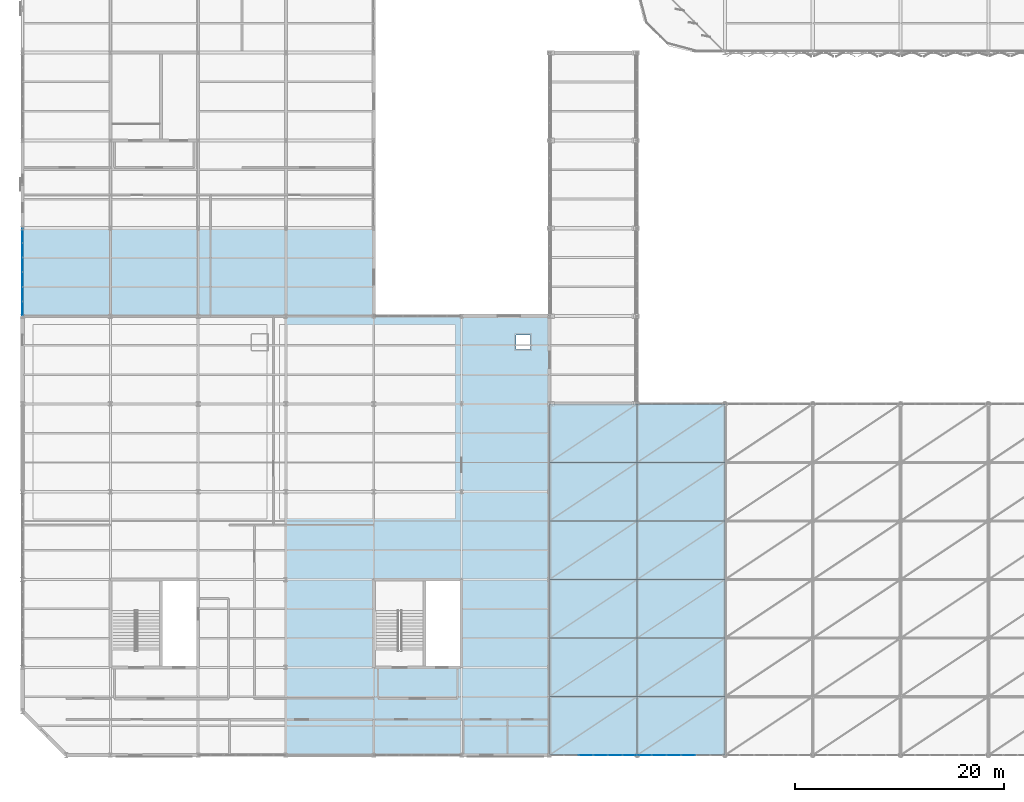
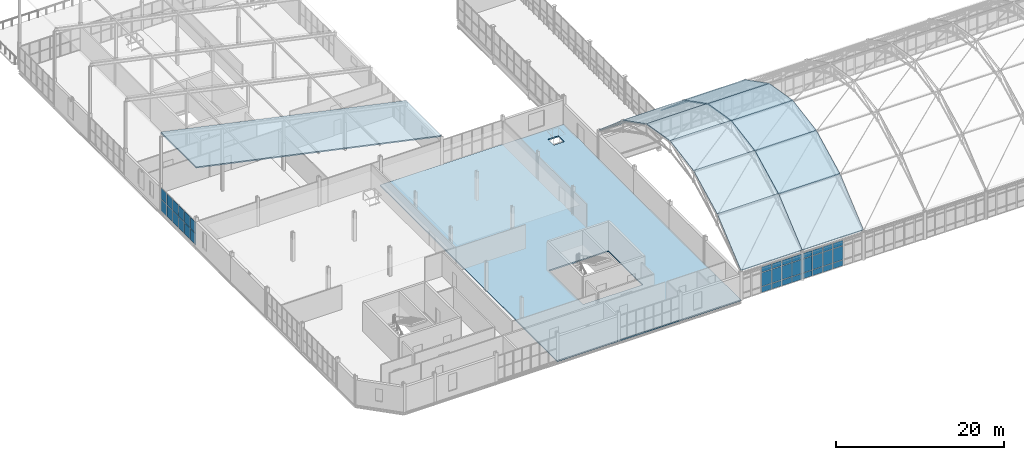
# One storey, part 135 of 184: 48 plates, 14 slabs, 4 elements without a shape of their own.
"""IFC4 building model written with IfcOpenShell, lengths in metres."""

from ifc_helpers import new_model, si_unit, direction, frame, origin, origin_2d, place, context, subcontext, project, spatial, polyline, rectangle, outline, extrude, material, layer, layer_set, type_object, element, aggregate, save


model = new_model("IFC4")

# Units and contexts
model_context = context("Model", 3, precision=1e-05, world=origin(), true_north=direction((0.0, 1.0)))
body_context = subcontext(model_context, "Body", "Model", "MODEL_VIEW")
ifc_project = project(units=[si_unit("LENGTHUNIT", "METRE"), si_unit("AREAUNIT", "SQUARE_METRE"), si_unit("VOLUMEUNIT", "CUBIC_METRE"), si_unit("PLANEANGLEUNIT", "RADIAN"), si_unit("MASSUNIT", "GRAM", prefix="KILO")], contexts=[model_context])

# Site, building, storey
site_placement = place(None, origin())
site = spatial("IfcSite", under=ifc_project, at=site_placement, CompositionType="ELEMENT")
building_placement = place(site_placement, origin())
building = spatial("IfcBuilding", under=site, at=building_placement, Name="Qalvenar Corner Mobility Hub", CompositionType="ELEMENT")
storey_placement = place(building_placement, frame((0.0, 0.0, 9.0)))
storey = spatial("IfcBuildingStorey", under=building, at=storey_placement, Name="L02", CompositionType="ELEMENT", Elevation=9.0)

# Curtain wall, plates
ifc_material_1 = material(Name="Anodised Aluminium and Low-E Glazing", Category="aluminium")
ifc_layer_1 = layer(ifc_material_1, 0.179931640625)
ifc_layer_set_1 = layer_set([ifc_layer_1], Name="Anodised Aluminium and Low-E Glazing")
curtain_wall_type_1 = type_object("IfcCurtainWallType", Name="CW-CONC-84X42", PredefinedType="NOTDEFINED", material=ifc_layer_set_1)
curtain_wall_1_placement = place(storey_placement, origin())
curtain_wall_1 = element("IfcCurtainWall", 1, at=curtain_wall_1_placement, inside=storey, type_object=curtain_wall_type_1, Name="Glazed Curtain Wall CW-V1-L02-S0", PredefinedType="NOTDEFINED")
ifc_material_2 = material(Name="Solar-Control Low-E Double Glazing", Category="glass")
ifc_layer_2 = layer(ifc_material_2, 0.028076171875)
ifc_layer_set_2 = layer_set([ifc_layer_2], Name="Solar-Control Low-E Double Glazing")
plate_type_1 = type_object("IfcPlateType", Name="PLT-CWP-GLZ1", PredefinedType="CURTAIN_PANEL", material=ifc_layer_set_2)
plate_1_placement = place(storey_placement, frame((53.89990234375, 0.0, 0.05517578125), z_axis=(0.0, 0.0, 1.0), x_axis=(1.0, 0.0, 0.0)))
plate_1 = element("IfcPlate", 2, at=plate_1_placement, type_object=plate_type_1, Name="CW-02 panel 3.1", PredefinedType="CURTAIN_PANEL", context=body_context, shape_type="SweptSolid", body=[
    extrude(rectangle(XDim=1.340087890625, YDim=0.028076171875, at=origin_2d()), origin(), (0.0, 0.0, 1.0), 0.8173828125),
])
plate_2_placement = place(storey_placement, frame((53.89990234375, 0.0, 0.927490234375), z_axis=(0.0, 0.0, 1.0), x_axis=(1.0, 0.0, 0.0)))
plate_2 = element("IfcPlate", 3, at=plate_2_placement, type_object=plate_type_1, Name="CW-02 panel 3.2", PredefinedType="CURTAIN_PANEL", context=body_context, shape_type="SweptSolid", body=[
    extrude(rectangle(XDim=1.340087890625, YDim=0.028076171875, at=origin_2d()), origin(), (0.0, 0.0, 1.0), 1.9951171875),
])
plate_3_placement = place(storey_placement, frame((53.89990234375, 0.0, 2.9775390625), z_axis=(0.0, 0.0, 1.0), x_axis=(1.0, 0.0, 0.0)))
plate_3 = element("IfcPlate", 4, at=plate_3_placement, type_object=plate_type_1, Name="CW-02 panel 3.3", PredefinedType="CURTAIN_PANEL", context=body_context, shape_type="SweptSolid", body=[
    extrude(rectangle(XDim=1.340087890625, YDim=0.028076171875, at=origin_2d()), origin(), (0.0, 0.0, 1.0), 0.767578125),
])
plate_4_placement = place(storey_placement, frame((55.300048828125, 0.0, 0.05517578125), z_axis=(0.0, 0.0, 1.0), x_axis=(1.0, 0.0, 0.0)))
plate_4 = element("IfcPlate", 5, at=plate_4_placement, type_object=plate_type_1, Name="CW-02 panel 4.1", PredefinedType="CURTAIN_PANEL", context=body_context, shape_type="SweptSolid", body=[
    extrude(rectangle(XDim=1.340087890625, YDim=0.028076171875, at=origin_2d()), origin(), (0.0, 0.0, 1.0), 0.8173828125),
])
plate_5_placement = place(storey_placement, frame((55.300048828125, 0.0, 0.927490234375), z_axis=(0.0, 0.0, 1.0), x_axis=(1.0, 0.0, 0.0)))
plate_5 = element("IfcPlate", 6, at=plate_5_placement, type_object=plate_type_1, Name="CW-02 panel 4.2", PredefinedType="CURTAIN_PANEL", context=body_context, shape_type="SweptSolid", body=[
    extrude(rectangle(XDim=1.340087890625, YDim=0.028076171875, at=origin_2d()), origin(), (0.0, 0.0, 1.0), 1.9951171875),
])
plate_6_placement = place(storey_placement, frame((55.300048828125, 0.0, 2.9775390625), z_axis=(0.0, 0.0, 1.0), x_axis=(1.0, 0.0, 0.0)))
plate_6 = element("IfcPlate", 7, at=plate_6_placement, type_object=plate_type_1, Name="CW-02 panel 4.3", PredefinedType="CURTAIN_PANEL", context=body_context, shape_type="SweptSolid", body=[
    extrude(rectangle(XDim=1.340087890625, YDim=0.028076171875, at=origin_2d()), origin(), (0.0, 0.0, 1.0), 0.767578125),
])
plate_7_placement = place(storey_placement, frame((56.699951171875, 0.0, 0.05517578125), z_axis=(0.0, 0.0, 1.0), x_axis=(1.0, 0.0, 0.0)))
plate_7 = element("IfcPlate", 8, at=plate_7_placement, type_object=plate_type_1, Name="CW-02 panel 5.1", PredefinedType="CURTAIN_PANEL", context=body_context, shape_type="SweptSolid", body=[
    extrude(rectangle(XDim=1.340087890625, YDim=0.028076171875, at=origin_2d()), origin(), (0.0, 0.0, 1.0), 0.8173828125),
])
plate_8_placement = place(storey_placement, frame((56.699951171875, 0.0, 0.927490234375), z_axis=(0.0, 0.0, 1.0), x_axis=(1.0, 0.0, 0.0)))
plate_8 = element("IfcPlate", 9, at=plate_8_placement, type_object=plate_type_1, Name="CW-02 panel 5.2", PredefinedType="CURTAIN_PANEL", context=body_context, shape_type="SweptSolid", body=[
    extrude(rectangle(XDim=1.340087890625, YDim=0.028076171875, at=origin_2d()), origin(), (0.0, 0.0, 1.0), 1.9951171875),
])
plate_9_placement = place(storey_placement, frame((56.699951171875, 0.0, 2.9775390625), z_axis=(0.0, 0.0, 1.0), x_axis=(1.0, 0.0, 0.0)))
plate_9 = element("IfcPlate", 10, at=plate_9_placement, type_object=plate_type_1, Name="CW-02 panel 5.3", PredefinedType="CURTAIN_PANEL", context=body_context, shape_type="SweptSolid", body=[
    extrude(rectangle(XDim=1.340087890625, YDim=0.028076171875, at=origin_2d()), origin(), (0.0, 0.0, 1.0), 0.767578125),
])
plate_10_placement = place(storey_placement, frame((58.0849609375, 0.0, 0.05517578125), z_axis=(0.0, 0.0, 1.0), x_axis=(1.0, 0.0, 0.0)))
plate_10 = element("IfcPlate", 11, at=plate_10_placement, type_object=plate_type_1, Name="CW-02 panel 6.1", PredefinedType="CURTAIN_PANEL", context=body_context, shape_type="SweptSolid", body=[
    extrude(rectangle(XDim=1.31005859375, YDim=0.028076171875, at=origin_2d()), origin(), (0.0, 0.0, 1.0), 0.8173828125),
])
plate_11_placement = place(storey_placement, frame((58.0849609375, 0.0, 0.927490234375), z_axis=(0.0, 0.0, 1.0), x_axis=(1.0, 0.0, 0.0)))
plate_11 = element("IfcPlate", 12, at=plate_11_placement, type_object=plate_type_1, Name="CW-02 panel 6.2", PredefinedType="CURTAIN_PANEL", context=body_context, shape_type="SweptSolid", body=[
    extrude(rectangle(XDim=1.31005859375, YDim=0.028076171875, at=origin_2d()), origin(), (0.0, 0.0, 1.0), 1.9951171875),
])
plate_12_placement = place(storey_placement, frame((58.0849609375, 0.0, 2.9775390625), z_axis=(0.0, 0.0, 1.0), x_axis=(1.0, 0.0, 0.0)))
plate_12 = element("IfcPlate", 13, at=plate_12_placement, type_object=plate_type_1, Name="CW-02 panel 6.3", PredefinedType="CURTAIN_PANEL", context=body_context, shape_type="SweptSolid", body=[
    extrude(rectangle(XDim=1.31005859375, YDim=0.028076171875, at=origin_2d()), origin(), (0.0, 0.0, 1.0), 0.767578125),
])
aggregate(curtain_wall_1, [plate_1, plate_2, plate_3, plate_4, plate_5, plate_6, plate_7, plate_8, plate_9, plate_10, plate_11, plate_12])

curtain_wall_2_placement = place(storey_placement, origin())
curtain_wall_2 = element("IfcCurtainWall", 14, at=curtain_wall_2_placement, inside=storey, type_object=curtain_wall_type_1, Name="Glazed Curtain Wall CW-V1-L02-S1", PredefinedType="NOTDEFINED")
plate_13_placement = place(storey_placement, frame((59.514892578125, 0.0, 0.05517578125), z_axis=(0.0, 0.0, 1.0), x_axis=(1.0, 0.0, 0.0)))
plate_13 = element("IfcPlate", 15, at=plate_13_placement, type_object=plate_type_1, Name="CW-02 panel 1.1", PredefinedType="CURTAIN_PANEL", context=body_context, shape_type="SweptSolid", body=[
    extrude(rectangle(XDim=1.31005859375, YDim=0.028076171875, at=origin_2d()), origin(), (0.0, 0.0, 1.0), 0.8173828125),
])
plate_14_placement = place(storey_placement, frame((59.514892578125, 0.0, 0.927490234375), z_axis=(0.0, 0.0, 1.0), x_axis=(1.0, 0.0, 0.0)))
plate_14 = element("IfcPlate", 16, at=plate_14_placement, type_object=plate_type_1, Name="CW-02 panel 1.2", PredefinedType="CURTAIN_PANEL", context=body_context, shape_type="SweptSolid", body=[
    extrude(rectangle(XDim=1.31005859375, YDim=0.028076171875, at=origin_2d()), origin(), (0.0, 0.0, 1.0), 1.9951171875),
])
plate_15_placement = place(storey_placement, frame((59.514892578125, 0.0, 2.9775390625), z_axis=(0.0, 0.0, 1.0), x_axis=(1.0, 0.0, 0.0)))
plate_15 = element("IfcPlate", 17, at=plate_15_placement, type_object=plate_type_1, Name="CW-02 panel 1.3", PredefinedType="CURTAIN_PANEL", context=body_context, shape_type="SweptSolid", body=[
    extrude(rectangle(XDim=1.31005859375, YDim=0.028076171875, at=origin_2d()), origin(), (0.0, 0.0, 1.0), 0.767578125),
])
plate_16_placement = place(storey_placement, frame((60.89990234375, 0.0, 0.05517578125), z_axis=(0.0, 0.0, 1.0), x_axis=(1.0, 0.0, 0.0)))
plate_16 = element("IfcPlate", 18, at=plate_16_placement, type_object=plate_type_1, Name="CW-02 panel 2.1", PredefinedType="CURTAIN_PANEL", context=body_context, shape_type="SweptSolid", body=[
    extrude(rectangle(XDim=1.340087890625, YDim=0.028076171875, at=origin_2d()), origin(), (0.0, 0.0, 1.0), 0.8173828125),
])
plate_17_placement = place(storey_placement, frame((60.89990234375, 0.0, 0.927490234375), z_axis=(0.0, 0.0, 1.0), x_axis=(1.0, 0.0, 0.0)))
plate_17 = element("IfcPlate", 19, at=plate_17_placement, type_object=plate_type_1, Name="CW-02 panel 2.2", PredefinedType="CURTAIN_PANEL", context=body_context, shape_type="SweptSolid", body=[
    extrude(rectangle(XDim=1.340087890625, YDim=0.028076171875, at=origin_2d()), origin(), (0.0, 0.0, 1.0), 1.9951171875),
])
plate_18_placement = place(storey_placement, frame((60.89990234375, 0.0, 2.9775390625), z_axis=(0.0, 0.0, 1.0), x_axis=(1.0, 0.0, 0.0)))
plate_18 = element("IfcPlate", 20, at=plate_18_placement, type_object=plate_type_1, Name="CW-02 panel 2.3", PredefinedType="CURTAIN_PANEL", context=body_context, shape_type="SweptSolid", body=[
    extrude(rectangle(XDim=1.340087890625, YDim=0.028076171875, at=origin_2d()), origin(), (0.0, 0.0, 1.0), 0.767578125),
])
plate_19_placement = place(storey_placement, frame((62.300048828125, 0.0, 0.05517578125), z_axis=(0.0, 0.0, 1.0), x_axis=(1.0, 0.0, 0.0)))
plate_19 = element("IfcPlate", 21, at=plate_19_placement, type_object=plate_type_1, Name="CW-02 panel 3.1", PredefinedType="CURTAIN_PANEL", context=body_context, shape_type="SweptSolid", body=[
    extrude(rectangle(XDim=1.340087890625, YDim=0.028076171875, at=origin_2d()), origin(), (0.0, 0.0, 1.0), 0.8173828125),
])
plate_20_placement = place(storey_placement, frame((62.300048828125, 0.0, 0.927490234375), z_axis=(0.0, 0.0, 1.0), x_axis=(1.0, 0.0, 0.0)))
plate_20 = element("IfcPlate", 22, at=plate_20_placement, type_object=plate_type_1, Name="CW-02 panel 3.2", PredefinedType="CURTAIN_PANEL", context=body_context, shape_type="SweptSolid", body=[
    extrude(rectangle(XDim=1.340087890625, YDim=0.028076171875, at=origin_2d()), origin(), (0.0, 0.0, 1.0), 1.9951171875),
])
plate_21_placement = place(storey_placement, frame((62.300048828125, 0.0, 2.9775390625), z_axis=(0.0, 0.0, 1.0), x_axis=(1.0, 0.0, 0.0)))
plate_21 = element("IfcPlate", 23, at=plate_21_placement, type_object=plate_type_1, Name="CW-02 panel 3.3", PredefinedType="CURTAIN_PANEL", context=body_context, shape_type="SweptSolid", body=[
    extrude(rectangle(XDim=1.340087890625, YDim=0.028076171875, at=origin_2d()), origin(), (0.0, 0.0, 1.0), 0.767578125),
])
plate_22_placement = place(storey_placement, frame((63.699951171875, 0.0, 0.05517578125), z_axis=(0.0, 0.0, 1.0), x_axis=(1.0, 0.0, 0.0)))
plate_22 = element("IfcPlate", 24, at=plate_22_placement, type_object=plate_type_1, Name="CW-02 panel 4.1", PredefinedType="CURTAIN_PANEL", context=body_context, shape_type="SweptSolid", body=[
    extrude(rectangle(XDim=1.340087890625, YDim=0.028076171875, at=origin_2d()), origin(), (0.0, 0.0, 1.0), 0.8173828125),
])
plate_23_placement = place(storey_placement, frame((63.699951171875, 0.0, 0.927490234375), z_axis=(0.0, 0.0, 1.0), x_axis=(1.0, 0.0, 0.0)))
plate_23 = element("IfcPlate", 25, at=plate_23_placement, type_object=plate_type_1, Name="CW-02 panel 4.2", PredefinedType="CURTAIN_PANEL", context=body_context, shape_type="SweptSolid", body=[
    extrude(rectangle(XDim=1.340087890625, YDim=0.028076171875, at=origin_2d()), origin(), (0.0, 0.0, 1.0), 1.9951171875),
])
plate_24_placement = place(storey_placement, frame((63.699951171875, 0.0, 2.9775390625), z_axis=(0.0, 0.0, 1.0), x_axis=(1.0, 0.0, 0.0)))
plate_24 = element("IfcPlate", 26, at=plate_24_placement, type_object=plate_type_1, Name="CW-02 panel 4.3", PredefinedType="CURTAIN_PANEL", context=body_context, shape_type="SweptSolid", body=[
    extrude(rectangle(XDim=1.340087890625, YDim=0.028076171875, at=origin_2d()), origin(), (0.0, 0.0, 1.0), 0.767578125),
])
aggregate(curtain_wall_2, [plate_13, plate_14, plate_15, plate_16, plate_17, plate_18, plate_19, plate_20, plate_21, plate_22, plate_23, plate_24])

ifc_layer_3 = layer(ifc_material_1, 0.14990234375)
ifc_layer_set_3 = layer_set([ifc_layer_3], Name="Anodised Aluminium and Low-E Glazing")
curtain_wall_type_2 = type_object("IfcCurtainWallType", Name="CW-CYC-84X39", PredefinedType="NOTDEFINED", material=ifc_layer_set_3)
curtain_wall_3_placement = place(storey_placement, origin())
curtain_wall_3 = element("IfcCurtainWall", 27, at=curtain_wall_3_placement, inside=storey, type_object=curtain_wall_type_2, Name="Glazed Curtain Wall CW-V5-L02-W0", PredefinedType="NOTDEFINED")
plate_25_placement = place(storey_placement, frame((0.0, 49.68505859375, 0.054931640625), z_axis=(0.0, 0.0, 1.0), x_axis=(0.0, -1.0, 0.0)))
plate_25 = element("IfcPlate", 28, at=plate_25_placement, type_object=plate_type_1, Name="CW-08 panel 1.1", PredefinedType="CURTAIN_PANEL", context=body_context, shape_type="SweptSolid", body=[
    extrude(rectangle(XDim=1.31005859375, YDim=0.028076171875, at=origin_2d()), origin(), (0.0, 0.0, 1.0), 1.62255859375),
])
plate_26_placement = place(storey_placement, frame((0.0, 49.68505859375, 1.732421875), z_axis=(0.0, 0.0, 1.0), x_axis=(0.0, -1.0, 0.0)))
plate_26 = element("IfcPlate", 29, at=plate_26_placement, type_object=plate_type_1, Name="CW-08 panel 1.2", PredefinedType="CURTAIN_PANEL", context=body_context, shape_type="SweptSolid", body=[
    extrude(rectangle(XDim=1.31005859375, YDim=0.028076171875, at=origin_2d()), origin(), (0.0, 0.0, 1.0), 1.62255859375),
])
plate_27_placement = place(storey_placement, frame((0.0, 48.300048828125, 0.054931640625), z_axis=(0.0, 0.0, 1.0), x_axis=(0.0, -1.0, 0.0)))
plate_27 = element("IfcPlate", 30, at=plate_27_placement, type_object=plate_type_1, Name="CW-08 panel 2.1", PredefinedType="CURTAIN_PANEL", context=body_context, shape_type="SweptSolid", body=[
    extrude(rectangle(XDim=1.340087890625, YDim=0.028076171875, at=origin_2d()), origin(), (0.0, 0.0, 1.0), 1.62255859375),
])
plate_28_placement = place(storey_placement, frame((0.0, 48.300048828125, 1.732421875), z_axis=(0.0, 0.0, 1.0), x_axis=(0.0, -1.0, 0.0)))
plate_28 = element("IfcPlate", 31, at=plate_28_placement, type_object=plate_type_1, Name="CW-08 panel 2.2", PredefinedType="CURTAIN_PANEL", context=body_context, shape_type="SweptSolid", body=[
    extrude(rectangle(XDim=1.340087890625, YDim=0.028076171875, at=origin_2d()), origin(), (0.0, 0.0, 1.0), 1.62255859375),
])
plate_29_placement = place(storey_placement, frame((0.0, 46.89990234375, 0.054931640625), z_axis=(0.0, 0.0, 1.0), x_axis=(0.0, -1.0, 0.0)))
plate_29 = element("IfcPlate", 32, at=plate_29_placement, type_object=plate_type_1, Name="CW-08 panel 3.1", PredefinedType="CURTAIN_PANEL", context=body_context, shape_type="SweptSolid", body=[
    extrude(rectangle(XDim=1.340087890625, YDim=0.028076171875, at=origin_2d()), origin(), (0.0, 0.0, 1.0), 1.62255859375),
])
plate_30_placement = place(storey_placement, frame((0.0, 46.89990234375, 1.732421875), z_axis=(0.0, 0.0, 1.0), x_axis=(0.0, -1.0, 0.0)))
plate_30 = element("IfcPlate", 33, at=plate_30_placement, type_object=plate_type_1, Name="CW-08 panel 3.2", PredefinedType="CURTAIN_PANEL", context=body_context, shape_type="SweptSolid", body=[
    extrude(rectangle(XDim=1.340087890625, YDim=0.028076171875, at=origin_2d()), origin(), (0.0, 0.0, 1.0), 1.62255859375),
])
plate_31_placement = place(storey_placement, frame((0.0, 45.5, 0.054931640625), z_axis=(0.0, 0.0, 1.0), x_axis=(0.0, -1.0, 0.0)))
plate_31 = element("IfcPlate", 34, at=plate_31_placement, type_object=plate_type_1, Name="CW-08 panel 4.1", PredefinedType="CURTAIN_PANEL", context=body_context, shape_type="SweptSolid", body=[
    extrude(rectangle(XDim=1.340087890625, YDim=0.028076171875, at=origin_2d()), origin(), (0.0, 0.0, 1.0), 1.62255859375),
])
plate_32_placement = place(storey_placement, frame((0.0, 45.5, 1.732421875), z_axis=(0.0, 0.0, 1.0), x_axis=(0.0, -1.0, 0.0)))
plate_32 = element("IfcPlate", 35, at=plate_32_placement, type_object=plate_type_1, Name="CW-08 panel 4.2", PredefinedType="CURTAIN_PANEL", context=body_context, shape_type="SweptSolid", body=[
    extrude(rectangle(XDim=1.340087890625, YDim=0.028076171875, at=origin_2d()), origin(), (0.0, 0.0, 1.0), 1.62255859375),
])
plate_33_placement = place(storey_placement, frame((0.0, 44.10009765625, 0.054931640625), z_axis=(0.0, 0.0, 1.0), x_axis=(0.0, -1.0, 0.0)))
plate_33 = element("IfcPlate", 36, at=plate_33_placement, type_object=plate_type_1, Name="CW-08 panel 5.1", PredefinedType="CURTAIN_PANEL", context=body_context, shape_type="SweptSolid", body=[
    extrude(rectangle(XDim=1.340087890625, YDim=0.028076171875, at=origin_2d()), origin(), (0.0, 0.0, 1.0), 1.62255859375),
])
plate_34_placement = place(storey_placement, frame((0.0, 44.10009765625, 1.732421875), z_axis=(0.0, 0.0, 1.0), x_axis=(0.0, -1.0, 0.0)))
plate_34 = element("IfcPlate", 37, at=plate_34_placement, type_object=plate_type_1, Name="CW-08 panel 5.2", PredefinedType="CURTAIN_PANEL", context=body_context, shape_type="SweptSolid", body=[
    extrude(rectangle(XDim=1.340087890625, YDim=0.028076171875, at=origin_2d()), origin(), (0.0, 0.0, 1.0), 1.62255859375),
])
plate_35_placement = place(storey_placement, frame((0.0, 42.715087890625, 0.054931640625), z_axis=(0.0, 0.0, 1.0), x_axis=(0.0, -1.0, 0.0)))
plate_35 = element("IfcPlate", 38, at=plate_35_placement, type_object=plate_type_1, Name="CW-08 panel 6.1", PredefinedType="CURTAIN_PANEL", context=body_context, shape_type="SweptSolid", body=[
    extrude(rectangle(XDim=1.31005859375, YDim=0.028076171875, at=origin_2d()), origin(), (0.0, 0.0, 1.0), 1.62255859375),
])
plate_36_placement = place(storey_placement, frame((0.0, 42.715087890625, 1.732421875), z_axis=(0.0, 0.0, 1.0), x_axis=(0.0, -1.0, 0.0)))
plate_36 = element("IfcPlate", 39, at=plate_36_placement, type_object=plate_type_1, Name="CW-08 panel 6.2", PredefinedType="CURTAIN_PANEL", context=body_context, shape_type="SweptSolid", body=[
    extrude(rectangle(XDim=1.31005859375, YDim=0.028076171875, at=origin_2d()), origin(), (0.0, 0.0, 1.0), 1.62255859375),
])
aggregate(curtain_wall_3, [plate_25, plate_26, plate_27, plate_28, plate_29, plate_30, plate_31, plate_32, plate_33, plate_34, plate_35, plate_36])

# Plates
ifc_material_3 = material(Name="Insulated Standing-Seam Aluminium Roof Cassette", Category="aluminium")
ifc_layer_4 = layer(ifc_material_3, 0.0849609375)
ifc_layer_set_4 = layer_set([ifc_layer_4], Name="Insulated Standing-Seam Aluminium Roof Cassette")
plate_type_2 = type_object("IfcPlateType", Name="PLT-SFR-CAS1", PredefinedType="SHEET", material=ifc_layer_set_4)
for number, where, z_axis, x_axis, name in (
    (40, (50.39990234375, 0.0, 4.2900390625), (0.0, -0.64904710972, 0.760748216799), (1.0, 0.0, 0.0), "Space Frame Roof Cassette RPC-1-1"),
    (41, (50.39990234375, 28.0, 9.06787109375), (0.0, 0.64904710972, 0.760748216799), (1.0, 0.0, 0.0), "Space Frame Roof Cassette RPC-1-6"),
):
    element("IfcPlate", number, at=place(storey_placement, frame(where, z_axis=z_axis, x_axis=x_axis)), inside=storey, type_object=plate_type_2, Name=name, PredefinedType="SHEET", context=body_context, shape_type="SweptSolid", body=[
        extrude(outline(polyline([(0.0, 0.0), (8.400146484375, 0.0), (8.400146484375, 7.361302376507519), (0.0, 7.361302376507519), (0.0, 0.0)])), origin(), (0.0, 0.0, -1.0), 0.0849609375),
    ])
for number, where, z_axis, x_axis, name in (
    (42, (58.800048828125, 0.0, 4.2900390625), (0.0, -0.64904710972, 0.760748216799), (1.0, 0.0, 0.0), "Space Frame Roof Cassette RPC-2-1"),
    (43, (58.800048828125, 28.0, 9.06787109375), (0.0, 0.64904710972, 0.760748216799), (1.0, 0.0, 0.0), "Space Frame Roof Cassette RPC-2-6"),
):
    element("IfcPlate", number, at=place(storey_placement, frame(where, z_axis=z_axis, x_axis=x_axis)), inside=storey, type_object=plate_type_2, Name=name, PredefinedType="SHEET", context=body_context, shape_type="SweptSolid", body=[
        extrude(outline(polyline([(0.0, 0.0), (8.39990234375, 0.0), (8.39990234375, 7.361302376507519), (0.0, 7.361302376507519), (0.0, 0.0)])), origin(), (0.0, 0.0, -1.0), 0.0849609375),
    ])
ifc_material_4 = material(Name="Insulated Standing-Seam Aluminium Roof Cassette", Category="aluminium")
ifc_layer_5 = layer(ifc_material_4, 0.080078125)
ifc_layer_set_5 = layer_set([ifc_layer_5], Name="Insulated Standing-Seam Aluminium Roof Cassette")
plate_type_3 = type_object("IfcPlateType", Name="PLT-SFR-CAS2", PredefinedType="SHEET", material=ifc_layer_set_5)
plate_37_placement = place(storey_placement, frame((50.39990234375, 5.60009765625, 9.062744140625), z_axis=(0.0, -0.45568465352, 0.890141278981), x_axis=(1.0, 0.0, 0.0)))
element("IfcPlate", 44, at=plate_37_placement, inside=storey, type_object=plate_type_3, Name="Space Frame Roof Cassette RPC-1-2", PredefinedType="SHEET", context=body_context, shape_type="SweptSolid", body=[
    extrude(outline(polyline([(0.0, 0.0), (8.400146484375, 0.0), (8.400146484375, 6.290971610748179), (0.0, 6.290971610748179), (0.0, 0.0)])), origin(), (0.0, 0.0, -1.0), 0.080078125),
])
plate_38_placement = place(storey_placement, frame((50.39990234375, 11.199951171875, 11.929443359375), z_axis=(0.0, -0.1682027625, 0.985752418555), x_axis=(1.0, 0.0, 0.0)))
element("IfcPlate", 45, at=plate_38_placement, inside=storey, type_object=plate_type_3, Name="Space Frame Roof Cassette RPC-1-3", PredefinedType="SHEET", context=body_context, shape_type="SweptSolid", body=[
    extrude(outline(polyline([(0.0, 0.0), (8.400146484375, 0.0), (8.400146484375, 5.681038718077028), (0.0, 5.681038718077028), (0.0, 0.0)])), origin(), (0.0, 0.0, -1.0), 0.080078125),
])
plate_39_placement = place(storey_placement, frame((50.39990234375, 16.800048828125, 12.885009765625), z_axis=(0.0, 0.168209888264, 0.985751202632), x_axis=(1.0, 0.0, 0.0)))
element("IfcPlate", 46, at=plate_39_placement, inside=storey, type_object=plate_type_3, Name="Space Frame Roof Cassette RPC-1-4", PredefinedType="SHEET", context=body_context, shape_type="SweptSolid", body=[
    extrude(outline(polyline([(0.0, 0.0), (8.400146484375, 0.0), (8.400146484375, 5.6807980560138915), (0.0, 5.6807980560138915), (0.0, 0.0)])), origin(), (0.0, 0.0, -1.0), 0.080078125),
])
plate_40_placement = place(storey_placement, frame((50.39990234375, 22.39990234375, 11.929443359375), z_axis=(0.0, 0.455668912509, 0.890149337006), x_axis=(1.0, 0.0, 0.0)))
element("IfcPlate", 47, at=plate_40_placement, inside=storey, type_object=plate_type_3, Name="Space Frame Roof Cassette RPC-1-5", PredefinedType="SHEET", context=body_context, shape_type="SweptSolid", body=[
    extrude(outline(polyline([(0.0, 0.0), (8.400146484375, 0.0), (8.400146484375, 6.29118893138003), (0.0, 6.29118893138003), (0.0, 0.0)])), origin(), (0.0, 0.0, -1.0), 0.080078125),
])
plate_41_placement = place(storey_placement, frame((58.800048828125, 5.60009765625, 9.062744140625), z_axis=(0.0, -0.45568465352, 0.890141278981), x_axis=(1.0, 0.0, 0.0)))
element("IfcPlate", 48, at=plate_41_placement, inside=storey, type_object=plate_type_3, Name="Space Frame Roof Cassette RPC-2-2", PredefinedType="SHEET", context=body_context, shape_type="SweptSolid", body=[
    extrude(outline(polyline([(0.0, 0.0), (8.39990234375, 0.0), (8.39990234375, 6.290971610748178), (0.0, 6.290971610748178), (0.0, 0.0)])), origin(), (0.0, 0.0, -1.0), 0.080078125),
])
plate_42_placement = place(storey_placement, frame((58.800048828125, 11.199951171875, 11.929443359375), z_axis=(0.0, -0.1682027625, 0.985752418555), x_axis=(1.0, 0.0, 0.0)))
element("IfcPlate", 49, at=plate_42_placement, inside=storey, type_object=plate_type_3, Name="Space Frame Roof Cassette RPC-2-3", PredefinedType="SHEET", context=body_context, shape_type="SweptSolid", body=[
    extrude(outline(polyline([(0.0, 0.0), (8.39990234375, 0.0), (8.39990234375, 5.681038718077028), (0.0, 5.681038718077028), (0.0, 0.0)])), origin(), (0.0, 0.0, -1.0), 0.080078125),
])
plate_43_placement = place(storey_placement, frame((58.800048828125, 16.800048828125, 12.885009765625), z_axis=(0.0, 0.168209888264, 0.985751202632), x_axis=(1.0, 0.0, 0.0)))
element("IfcPlate", 50, at=plate_43_placement, inside=storey, type_object=plate_type_3, Name="Space Frame Roof Cassette RPC-2-4", PredefinedType="SHEET", context=body_context, shape_type="SweptSolid", body=[
    extrude(outline(polyline([(0.0, 0.0), (8.39990234375, 0.0), (8.39990234375, 5.6807980560138915), (0.0, 5.6807980560138915), (0.0, 0.0)])), origin(), (0.0, 0.0, -1.0), 0.080078125),
])
plate_44_placement = place(storey_placement, frame((58.800048828125, 22.39990234375, 11.929443359375), z_axis=(0.0, 0.455668912509, 0.890149337006), x_axis=(1.0, 0.0, 0.0)))
element("IfcPlate", 51, at=plate_44_placement, inside=storey, type_object=plate_type_3, Name="Space Frame Roof Cassette RPC-2-5", PredefinedType="SHEET", context=body_context, shape_type="SweptSolid", body=[
    extrude(outline(polyline([(0.0, 0.0), (8.39990234375, 0.0), (8.39990234375, 6.29118893138003), (0.0, 6.29118893138003), (0.0, 0.0)])), origin(), (0.0, 0.0, -1.0), 0.080078125),
])

# Roof, slabs
ifc_material_5 = material(Name="Steel S355", Category="steel")
roof_type = type_object("IfcRoofType", Name="ROOF-SPACEFRAME", PredefinedType="BARREL_ROOF", material=ifc_material_5)
roof_placement = place(storey_placement, origin())
roof = element("IfcRoof", 52, at=roof_placement, inside=storey, type_object=roof_type, Name="Volume 1 Bus Concourse Barrel Space-Frame Roof", PredefinedType="BARREL_ROOF")
ifc_material_6 = material(Name="Concrete C35/45", Category="concrete")
ifc_layer_6 = layer(ifc_material_6, 0.139892578125)
ifc_layer_set_6 = layer_set([ifc_layer_6], Name="Concrete C35/45")
slab_type_1 = type_object("IfcSlabType", Name="SLB-CAN140", PredefinedType="ROOF", material=ifc_layer_set_6)
slab_1_placement = place(storey_placement, frame((50.39990234375, 0.0, 4.199951171875), z_axis=(0.0, -0.64904710972, 0.760748216799), x_axis=(1.0, 0.0, 0.0)))
slab_1 = element("IfcSlab", 53, at=slab_1_placement, type_object=slab_type_1, Name="Space Frame Sloped Roof Deck RFS-1-1", PredefinedType="ROOF", context=body_context, shape_type="SweptSolid", body=[
    extrude(outline(polyline([(0.0, 0.0), (8.400146484375, 0.0), (8.400146484375, 7.361302376507519), (0.0, 7.361302376507519), (0.0, 0.0)])), origin(), (0.0, 0.0, -1.0), 0.139892578125),
])
slab_2_placement = place(storey_placement, frame((50.39990234375, 5.60009765625, 8.977783203125), z_axis=(0.0, -0.45568465352, 0.890141278981), x_axis=(1.0, 0.0, 0.0)))
slab_2 = element("IfcSlab", 54, at=slab_2_placement, type_object=slab_type_1, Name="Space Frame Sloped Roof Deck RFS-1-2", PredefinedType="ROOF", context=body_context, shape_type="SweptSolid", body=[
    extrude(outline(polyline([(0.0, 0.0), (8.400146484375, 0.0), (8.400146484375, 6.290971610748179), (0.0, 6.290971610748179), (0.0, 0.0)])), origin(), (0.0, 0.0, -1.0), 0.139892578125),
])
slab_3_placement = place(storey_placement, frame((50.39990234375, 11.199951171875, 11.844482421875), z_axis=(0.0, -0.1682027625, 0.985752418555), x_axis=(1.0, 0.0, 0.0)))
slab_3 = element("IfcSlab", 55, at=slab_3_placement, type_object=slab_type_1, Name="Space Frame Sloped Roof Deck RFS-1-3", PredefinedType="ROOF", context=body_context, shape_type="SweptSolid", body=[
    extrude(outline(polyline([(0.0, 0.0), (8.400146484375, 0.0), (8.400146484375, 5.681038718077028), (0.0, 5.681038718077028), (0.0, 0.0)])), origin(), (0.0, 0.0, -1.0), 0.139892578125),
])
slab_4_placement = place(storey_placement, frame((50.39990234375, 16.800048828125, 12.800048828125), z_axis=(0.0, 0.168209888264, 0.985751202632), x_axis=(1.0, 0.0, 0.0)))
slab_4 = element("IfcSlab", 56, at=slab_4_placement, type_object=slab_type_1, Name="Space Frame Sloped Roof Deck RFS-1-4", PredefinedType="ROOF", context=body_context, shape_type="SweptSolid", body=[
    extrude(outline(polyline([(0.0, 0.0), (8.400146484375, 0.0), (8.400146484375, 5.6807980560138915), (0.0, 5.6807980560138915), (0.0, 0.0)])), origin(), (0.0, 0.0, -1.0), 0.139892578125),
])
slab_5_placement = place(storey_placement, frame((50.39990234375, 22.39990234375, 11.844482421875), z_axis=(0.0, 0.455668912509, 0.890149337006), x_axis=(1.0, 0.0, 0.0)))
slab_5 = element("IfcSlab", 57, at=slab_5_placement, type_object=slab_type_1, Name="Space Frame Sloped Roof Deck RFS-1-5", PredefinedType="ROOF", context=body_context, shape_type="SweptSolid", body=[
    extrude(outline(polyline([(0.0, 0.0), (8.400146484375, 0.0), (8.400146484375, 6.29118893138003), (0.0, 6.29118893138003), (0.0, 0.0)])), origin(), (0.0, 0.0, -1.0), 0.139892578125),
])
slab_6_placement = place(storey_placement, frame((50.39990234375, 28.0, 8.977783203125), z_axis=(0.0, 0.64904710972, 0.760748216799), x_axis=(1.0, 0.0, 0.0)))
slab_6 = element("IfcSlab", 58, at=slab_6_placement, type_object=slab_type_1, Name="Space Frame Sloped Roof Deck RFS-1-6", PredefinedType="ROOF", context=body_context, shape_type="SweptSolid", body=[
    extrude(outline(polyline([(0.0, 0.0), (8.400146484375, 0.0), (8.400146484375, 7.361302376507519), (0.0, 7.361302376507519), (0.0, 0.0)])), origin(), (0.0, 0.0, -1.0), 0.139892578125),
])
slab_7_placement = place(storey_placement, frame((58.800048828125, 0.0, 4.199951171875), z_axis=(0.0, -0.64904710972, 0.760748216799), x_axis=(1.0, 0.0, 0.0)))
slab_7 = element("IfcSlab", 59, at=slab_7_placement, type_object=slab_type_1, Name="Space Frame Sloped Roof Deck RFS-2-1", PredefinedType="ROOF", context=body_context, shape_type="SweptSolid", body=[
    extrude(outline(polyline([(0.0, 0.0), (8.39990234375, 0.0), (8.39990234375, 7.361302376507519), (0.0, 7.361302376507519), (0.0, 0.0)])), origin(), (0.0, 0.0, -1.0), 0.139892578125),
])
slab_8_placement = place(storey_placement, frame((58.800048828125, 5.60009765625, 8.977783203125), z_axis=(0.0, -0.45568465352, 0.890141278981), x_axis=(1.0, 0.0, 0.0)))
slab_8 = element("IfcSlab", 60, at=slab_8_placement, type_object=slab_type_1, Name="Space Frame Sloped Roof Deck RFS-2-2", PredefinedType="ROOF", context=body_context, shape_type="SweptSolid", body=[
    extrude(outline(polyline([(0.0, 0.0), (8.39990234375, 0.0), (8.39990234375, 6.290971610748178), (0.0, 6.290971610748178), (0.0, 0.0)])), origin(), (0.0, 0.0, -1.0), 0.139892578125),
])
slab_9_placement = place(storey_placement, frame((58.800048828125, 11.199951171875, 11.844482421875), z_axis=(0.0, -0.1682027625, 0.985752418555), x_axis=(1.0, 0.0, 0.0)))
slab_9 = element("IfcSlab", 61, at=slab_9_placement, type_object=slab_type_1, Name="Space Frame Sloped Roof Deck RFS-2-3", PredefinedType="ROOF", context=body_context, shape_type="SweptSolid", body=[
    extrude(outline(polyline([(0.0, 0.0), (8.39990234375, 0.0), (8.39990234375, 5.681038718077028), (0.0, 5.681038718077028), (0.0, 0.0)])), origin(), (0.0, 0.0, -1.0), 0.139892578125),
])
slab_10_placement = place(storey_placement, frame((58.800048828125, 16.800048828125, 12.800048828125), z_axis=(0.0, 0.168209888264, 0.985751202632), x_axis=(1.0, 0.0, 0.0)))
slab_10 = element("IfcSlab", 62, at=slab_10_placement, type_object=slab_type_1, Name="Space Frame Sloped Roof Deck RFS-2-4", PredefinedType="ROOF", context=body_context, shape_type="SweptSolid", body=[
    extrude(outline(polyline([(0.0, 0.0), (8.39990234375, 0.0), (8.39990234375, 5.6807980560138915), (0.0, 5.6807980560138915), (0.0, 0.0)])), origin(), (0.0, 0.0, -1.0), 0.139892578125),
])
slab_11_placement = place(storey_placement, frame((58.800048828125, 22.39990234375, 11.844482421875), z_axis=(0.0, 0.455668912509, 0.890149337006), x_axis=(1.0, 0.0, 0.0)))
slab_11 = element("IfcSlab", 63, at=slab_11_placement, type_object=slab_type_1, Name="Space Frame Sloped Roof Deck RFS-2-5", PredefinedType="ROOF", context=body_context, shape_type="SweptSolid", body=[
    extrude(outline(polyline([(0.0, 0.0), (8.39990234375, 0.0), (8.39990234375, 6.29118893138003), (0.0, 6.29118893138003), (0.0, 0.0)])), origin(), (0.0, 0.0, -1.0), 0.139892578125),
])
slab_12_placement = place(storey_placement, frame((58.800048828125, 28.0, 8.977783203125), z_axis=(0.0, 0.64904710972, 0.760748216799), x_axis=(1.0, 0.0, 0.0)))
slab_12 = element("IfcSlab", 64, at=slab_12_placement, type_object=slab_type_1, Name="Space Frame Sloped Roof Deck RFS-2-6", PredefinedType="ROOF", context=body_context, shape_type="SweptSolid", body=[
    extrude(outline(polyline([(0.0, 0.0), (8.39990234375, 0.0), (8.39990234375, 7.361302376507519), (0.0, 7.361302376507519), (0.0, 0.0)])), origin(), (0.0, 0.0, -1.0), 0.139892578125),
])
aggregate(roof, [slab_1, slab_2, slab_3, slab_4, slab_5, slab_6, slab_7, slab_8, slab_9, slab_10, slab_11, slab_12])

# Slabs
ifc_material_7 = material(Name="Concrete C35/45", Category="concrete")
ifc_layer_7 = layer(ifc_material_7, 0.179931640625)
ifc_layer_set_7 = layer_set([ifc_layer_7], Name="Concrete C35/45")
slab_type_2 = type_object("IfcSlabType", Name="SLB-COMP180", PredefinedType="FLOOR", material=ifc_layer_set_7)
slab_13_placement = place(storey_placement, frame((0.0, 0.0, -0.179931640625)))
element("IfcSlab", 65, at=slab_13_placement, inside=storey, type_object=slab_type_2, Name="Composite Slab V3-B-L02", PredefinedType="FLOOR", context=body_context, shape_type="SweptSolid", body=[
    extrude(outline(polyline([(25.199951171875, 0.0), (50.39990234375, 0.0), (50.39990234375, 42.0), (25.199951171875, 42.0), (25.199951171875, 0.0)]), holes=[polyline([(33.72998046875, 8.530029296875), (41.8701171875, 8.530029296875), (41.8701171875, 16.669921875), (33.72998046875, 16.669921875), (33.72998046875, 8.530029296875)]), polyline([(47.199951171875, 38.800048828125), (48.60009765625, 38.800048828125), (48.60009765625, 40.199951171875), (47.199951171875, 40.199951171875), (47.199951171875, 38.800048828125)])]), origin(), (0.0, 0.0, 1.0), 0.179931640625),
])
ifc_material_8 = material(Name="Concrete C35/45", Category="concrete")
ifc_layer_8 = layer(ifc_material_8, 0.169921875)
ifc_layer_set_8 = layer_set([ifc_layer_8], Name="Concrete C35/45")
slab_type_3 = type_object("IfcSlabType", Name="SLB-ROOF170", PredefinedType="ROOF", material=ifc_layer_set_8)
slab_14_placement = place(storey_placement, frame((0.0, 42.0, 11.39990234375), z_axis=(0.209527147912, 0.0, 0.977802829965), x_axis=(0.977802829965, 0.0, -0.209527147912)))
element("IfcSlab", 66, at=slab_14_placement, inside=storey, type_object=slab_type_3, Name="Bicycle Hall Mono-Pitch Roof V5-1", PredefinedType="ROOF", context=body_context, shape_type="SweptSolid", body=[
    extrude(outline(polyline([(0.0, 0.0), (34.3628558095354, 0.0), (34.3628558095354, 8.399902343749998), (0.0, 8.399902343749998), (0.0, 0.0)])), origin(), (0.0, 0.0, -1.0), 0.169921875),
])

save(model, "model.ifc")
